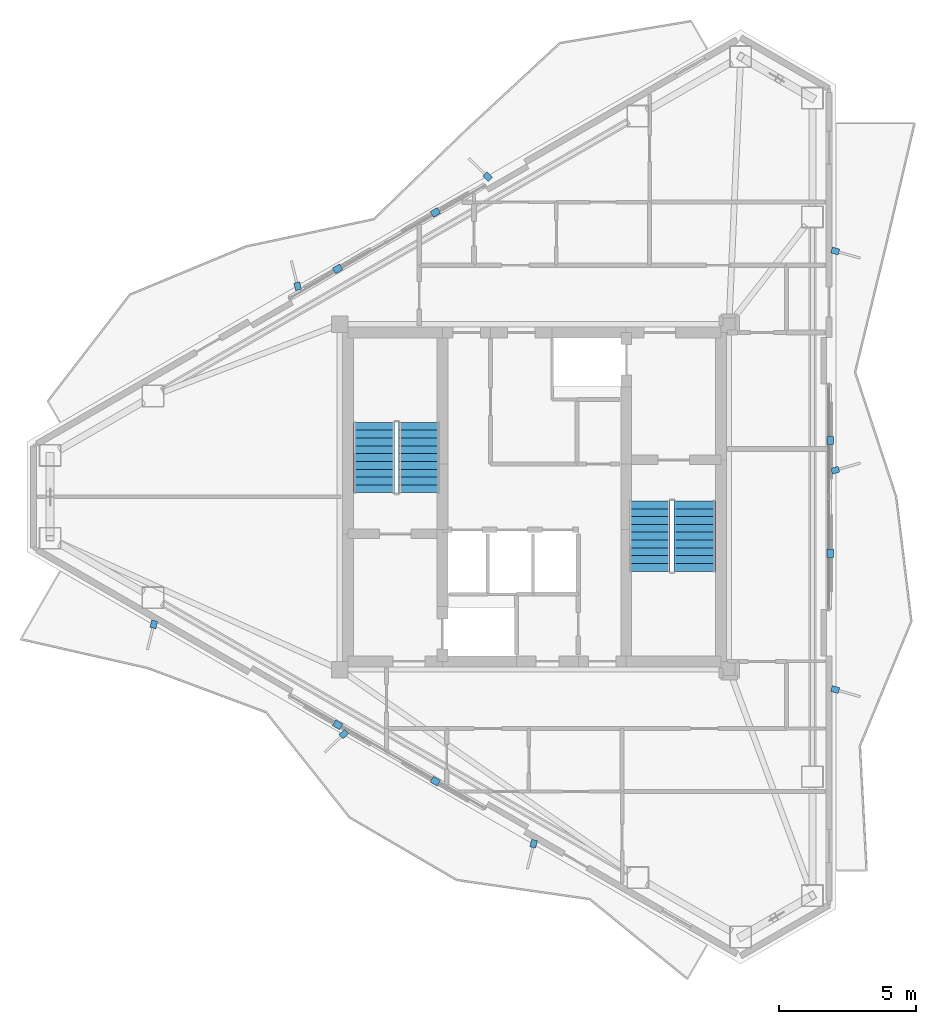
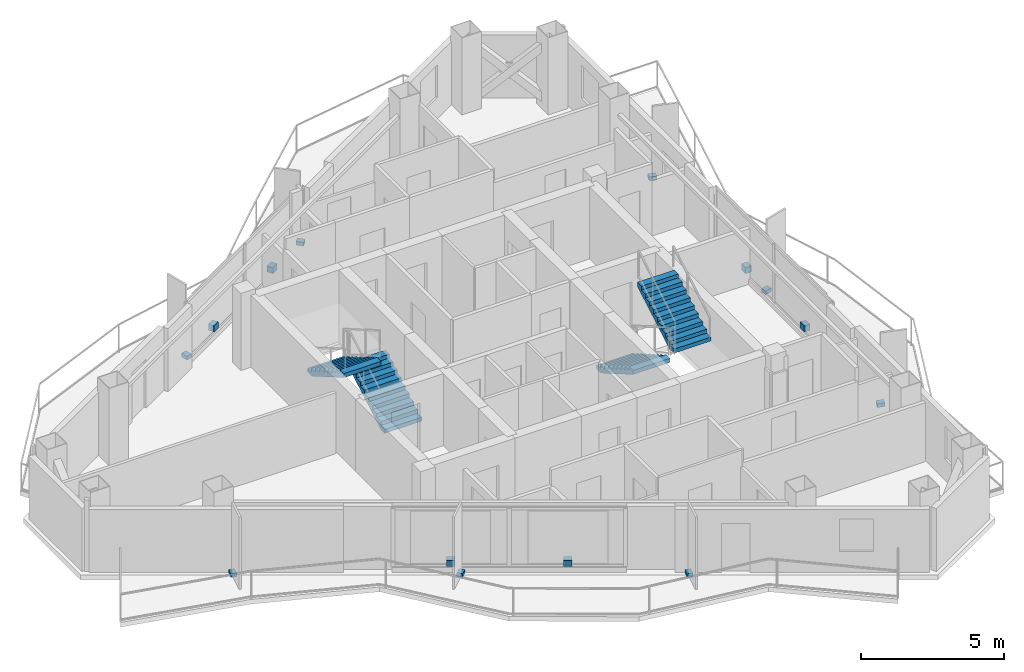
# One storey, part 17 of 18: 14 discrete accessories, 4 stair flights, 2 elements without a shape of their own.
"""IFC4 building model written with IfcOpenShell, lengths in metres."""

from ifc_helpers import new_model, si_unit, direction, frame, origin, origin_2d, place, context, subcontext, project, spatial, polyline, rectangle, outline, extrude, material, layer, layer_set, type_object, element, aggregate, save


model = new_model("IFC4")

# Units and contexts
model_context = context("Model", 3, precision=1e-05, world=origin(), true_north=direction((0.0, 1.0)))
body_context = subcontext(model_context, "Body", "Model", "MODEL_VIEW")
ifc_project = project(units=[si_unit("LENGTHUNIT", "METRE"), si_unit("AREAUNIT", "SQUARE_METRE"), si_unit("VOLUMEUNIT", "CUBIC_METRE"), si_unit("PLANEANGLEUNIT", "RADIAN"), si_unit("MASSUNIT", "GRAM", prefix="KILO")], contexts=[model_context])

# Site, building, storey
site_placement = place(None, origin())
site = spatial("IfcSite", under=ifc_project, at=site_placement, CompositionType="ELEMENT")
building_placement = place(site_placement, origin())
building = spatial("IfcBuilding", under=site, at=building_placement, Name="Mersakhor Tower and Convention Hall", CompositionType="ELEMENT")
storey_placement = place(building_placement, frame((0.0, 0.0, 226.5)))
storey = spatial("IfcBuildingStorey", under=building, at=storey_placement, Name="L63", CompositionType="ELEMENT", Elevation=226.5)

# Stair, stair flights
ifc_material_1 = material(Name="Concrete C45/55", Category="concrete")
stair_type = type_object("IfcStairType", Name="ST-TWR-20R", PredefinedType="HALF_TURN_STAIR", material=ifc_material_1)
stair_1_placement = place(storey_placement, origin())
stair_1 = element("IfcStair", 1, at=stair_1_placement, inside=storey, type_object=stair_type, Name="L63 Tower Protected Exit Stair ST-1", PredefinedType="HALF_TURN_STAIR")
ifc_material_2 = material(Name="Concrete C45/55", Category="concrete")
stair_flight_type = type_object("IfcStairFlightType", Name="SFL-TWR-20R", PredefinedType="STRAIGHT", material=ifc_material_2)
stair_flight_1_placement = place(storey_placement, frame((24.800048828125, 26.89990234375, 0.0), z_axis=(0.0, 0.0, 1.0), x_axis=(0.0, 1.0, 0.0)))
stair_flight_1 = element("IfcStairFlight", 2, at=stair_flight_1_placement, type_object=stair_flight_type, Name="ST-1 flight 1", NumberOfRisers=10, NumberOfTreads=9, PredefinedType="STRAIGHT", RiserHeight=0.165, TreadLength=0.285, context=body_context, shape_type="SweptSolid", body=[
    extrude(outline(polyline([(0.0, 0.0), (0.0, 0.1650390625), (0.284912109375, 0.1650390625), (0.284912109375, 0.330078125), (0.570068359375, 0.330078125), (0.570068359375, 0.4951171875), (0.85498046875, 0.4951171875), (0.85498046875, 0.659912109375), (1.139892578125, 0.659912109375), (1.139892578125, 0.824951171875), (1.425048828125, 0.824951171875), (1.425048828125, 0.989990234375), (1.7099609375, 0.989990234375), (1.7099609375, 1.155029296875), (1.9951171875, 1.155029296875), (1.9951171875, 1.320068359375), (2.280029296875, 1.320068359375), (2.280029296875, 1.485107421875), (2.56494140625, 1.485107421875), (2.56494140625, 1.64990234375), (2.56494140625, 1.311767578125), (0.299072265625, 0.0), (0.0, 0.0)])), frame((0.0, 0.75, 0.0), z_axis=(0.0, -1.0, 0.0), x_axis=(1.0, 0.0, 0.0)), (0.0, 0.0, 1.0), 1.5),
])
stair_flight_2_placement = place(storey_placement, frame((23.14990234375, 29.465087890625, 1.64990234375), z_axis=(0.0, 0.0, 1.0), x_axis=(0.0, -1.0, 0.0)))
stair_flight_2 = element("IfcStairFlight", 3, at=stair_flight_2_placement, type_object=stair_flight_type, Name="ST-1 flight 2", NumberOfRisers=10, NumberOfTreads=9, PredefinedType="STRAIGHT", RiserHeight=0.165, TreadLength=0.285, context=body_context, shape_type="SweptSolid", body=[
    extrude(outline(polyline([(0.0, 0.0), (0.0, 0.1650390625), (0.284912109375, 0.1650390625), (0.284912109375, 0.330078125), (0.570068359375, 0.330078125), (0.570068359375, 0.4951171875), (0.85498046875, 0.4951171875), (0.85498046875, 0.659912109375), (1.139892578125, 0.659912109375), (1.139892578125, 0.824951171875), (1.425048828125, 0.824951171875), (1.425048828125, 0.989990234375), (1.7099609375, 0.989990234375), (1.7099609375, 1.155029296875), (1.9951171875, 1.155029296875), (1.9951171875, 1.320068359375), (2.280029296875, 1.320068359375), (2.280029296875, 1.485107421875), (2.56494140625, 1.485107421875), (2.56494140625, 1.64990234375), (2.56494140625, 1.311767578125), (0.299072265625, 0.0), (0.0, 0.0)])), frame((0.0, 0.75, 0.0), z_axis=(0.0, -1.0, 0.0), x_axis=(1.0, 0.0, 0.0)), (0.0, 0.0, 1.0), 1.5),
])
aggregate(stair_1, [stair_flight_1, stair_flight_2])

stair_2_placement = place(storey_placement, origin())
stair_2 = element("IfcStair", 4, at=stair_2_placement, inside=storey, type_object=stair_type, Name="L63 Tower Protected Exit Stair ST-2", PredefinedType="HALF_TURN_STAIR")
stair_flight_3_placement = place(storey_placement, frame((33.199951171875, 26.60009765625, 0.0), z_axis=(0.0, 0.0, 1.0), x_axis=(0.0, -1.0, 0.0)))
stair_flight_3 = element("IfcStairFlight", 5, at=stair_flight_3_placement, type_object=stair_flight_type, Name="ST-2 flight 1", NumberOfRisers=10, NumberOfTreads=9, PredefinedType="STRAIGHT", RiserHeight=0.165, TreadLength=0.285, context=body_context, shape_type="SweptSolid", body=[
    extrude(outline(polyline([(0.0, 0.0), (0.0, 0.1650390625), (0.284912109375, 0.1650390625), (0.284912109375, 0.330078125), (0.570068359375, 0.330078125), (0.570068359375, 0.4951171875), (0.85498046875, 0.4951171875), (0.85498046875, 0.659912109375), (1.139892578125, 0.659912109375), (1.139892578125, 0.824951171875), (1.425048828125, 0.824951171875), (1.425048828125, 0.989990234375), (1.7099609375, 0.989990234375), (1.7099609375, 1.155029296875), (1.9951171875, 1.155029296875), (1.9951171875, 1.320068359375), (2.280029296875, 1.320068359375), (2.280029296875, 1.485107421875), (2.56494140625, 1.485107421875), (2.56494140625, 1.64990234375), (2.56494140625, 1.311767578125), (0.299072265625, 0.0), (0.0, 0.0)])), frame((0.0, 0.75, 0.0), z_axis=(0.0, -1.0, 0.0), x_axis=(1.0, 0.0, 0.0)), (0.0, 0.0, 1.0), 1.5),
])
stair_flight_4_placement = place(storey_placement, frame((34.85009765625, 24.034912109375, 1.64990234375), z_axis=(0.0, 0.0, 1.0), x_axis=(0.0, 1.0, 0.0)))
stair_flight_4 = element("IfcStairFlight", 6, at=stair_flight_4_placement, type_object=stair_flight_type, Name="ST-2 flight 2", NumberOfRisers=10, NumberOfTreads=9, PredefinedType="STRAIGHT", RiserHeight=0.165, TreadLength=0.285, context=body_context, shape_type="SweptSolid", body=[
    extrude(outline(polyline([(0.0, 0.0), (0.0, 0.1650390625), (0.284912109375, 0.1650390625), (0.284912109375, 0.330078125), (0.570068359375, 0.330078125), (0.570068359375, 0.4951171875), (0.85498046875, 0.4951171875), (0.85498046875, 0.659912109375), (1.139892578125, 0.659912109375), (1.139892578125, 0.824951171875), (1.425048828125, 0.824951171875), (1.425048828125, 0.989990234375), (1.7099609375, 0.989990234375), (1.7099609375, 1.155029296875), (1.9951171875, 1.155029296875), (1.9951171875, 1.320068359375), (2.280029296875, 1.320068359375), (2.280029296875, 1.485107421875), (2.56494140625, 1.485107421875), (2.56494140625, 1.64990234375), (2.56494140625, 1.311767578125), (0.299072265625, 0.0), (0.0, 0.0)])), frame((0.0, 0.75, 0.0), z_axis=(0.0, -1.0, 0.0), x_axis=(1.0, 0.0, 0.0)), (0.0, 0.0, 1.0), 1.5),
])
aggregate(stair_2, [stair_flight_3, stair_flight_4])

# Discrete accessories
ifc_material_3 = material(Name="Galvanised steel bracket", Category="steel")
ifc_layer = layer(ifc_material_3, 0.02001953125)
ifc_layer_set = layer_set([ifc_layer], Name="Galvanised steel bracket")
discrete_accessory_type = type_object("IfcDiscreteAccessoryType", Name="ACC-BRK-STL", PredefinedType="BRACKET", material=ifc_layer_set)
for number, where, z_axis, x_axis, name in (
    (7, (21.822265625, 35.068359375, 0.2900390625), (0.0, 0.0, 1.0), (0.866025403784, 0.5, 0.0), "L63 Solar Screen Outrigger Bracket BRK-1-1"),
    (8, (25.385009765625, 37.125244140625, 0.2900390625), (0.0, 0.0, 1.0), (0.866025403784, 0.5, 0.0), "L63 Solar Screen Outrigger Bracket BRK-1-2"),
):
    element("IfcDiscreteAccessory", number, at=place(storey_placement, frame(where, z_axis=z_axis, x_axis=x_axis)), inside=storey, type_object=discrete_accessory_type, Name=name, PredefinedType="BRACKET", context=body_context, shape_type="SweptSolid", body=[
        extrude(rectangle(XDim=0.300048828125, YDim=0.239990234375, at=origin_2d()), origin(), (0.0, 0.0, 1.0), 0.260009765625),
    ])
for number, where, z_axis, x_axis, name in (
    (9, (20.36474609375, 34.434814453125, -0.02001953125), (0.0, 0.0, 1.0), (-0.2419218956, 0.970295726276, 0.0), "L63 Facade Fin Base Cleat Bracket FBRK-1-1"),
    (10, (27.29296875, 38.434814453125, -0.02001953125), (0.0, 0.0, 1.0), (-0.719339800339, 0.694658370459, 0.0), "L63 Facade Fin Base Cleat Bracket FBRK-1-2"),
):
    element("IfcDiscreteAccessory", number, at=place(storey_placement, frame(where, z_axis=z_axis, x_axis=x_axis)), inside=storey, type_object=discrete_accessory_type, Name=name, PredefinedType="BRACKET", context=body_context, shape_type="SweptSolid", body=[
        extrude(rectangle(XDim=0.280029296875, YDim=0.219970703125, at=origin_2d()), origin(), (0.0, 0.0, 1.0), 0.159912109375),
    ])
for number, where, z_axis, x_axis, name in (
    (11, (39.792724609375, 28.806884765625, 0.2900390625), (0.0, 0.0, 1.0), (0.0, -1.0, 0.0), "L63 Solar Screen Outrigger Bracket BRK-2-1"),
    (12, (39.792724609375, 24.693115234375, 0.2900390625), (0.0, 0.0, 1.0), (0.0, -1.0, 0.0), "L63 Solar Screen Outrigger Bracket BRK-2-2"),
):
    element("IfcDiscreteAccessory", number, at=place(storey_placement, frame(where, z_axis=z_axis, x_axis=x_axis)), inside=storey, type_object=discrete_accessory_type, Name=name, PredefinedType="BRACKET", context=body_context, shape_type="SweptSolid", body=[
        extrude(rectangle(XDim=0.300048828125, YDim=0.239990234375, at=origin_2d()), origin(), (0.0, 0.0, 1.0), 0.260009765625),
    ])
for number, where, z_axis, x_axis, name in (
    (13, (39.972900390625, 35.719482421875, -0.02001953125), (0.0, 0.0, 1.0), (0.961261695938, -0.275637355817, 0.0), "L63 Facade Fin Base Cleat Bracket FBRK-2-1"),
    (14, (39.972900390625, 27.719482421875, -0.02001953125), (0.0, 0.0, 1.0), (0.961261695938, 0.275637355817, 0.0), "L63 Facade Fin Base Cleat Bracket FBRK-2-2"),
    (15, (39.972900390625, 19.719482421875, -0.02001953125), (0.0, 0.0, 1.0), (0.961261695938, -0.275637355817, 0.0), "L63 Facade Fin Base Cleat Bracket FBRK-2-3"),
):
    element("IfcDiscreteAccessory", number, at=place(storey_placement, frame(where, z_axis=z_axis, x_axis=x_axis)), inside=storey, type_object=discrete_accessory_type, Name=name, PredefinedType="BRACKET", context=body_context, shape_type="SweptSolid", body=[
        extrude(rectangle(XDim=0.280029296875, YDim=0.219970703125, at=origin_2d()), origin(), (0.0, 0.0, 1.0), 0.159912109375),
    ])
for number, where, z_axis, x_axis, name in (
    (16, (25.385009765625, 16.374755859375, 0.2900390625), (0.0, 0.0, 1.0), (-0.866025403784, 0.5, 0.0), "L63 Solar Screen Outrigger Bracket BRK-3-1"),
    (17, (21.822265625, 18.431640625, 0.2900390625), (0.0, 0.0, 1.0), (-0.866025403784, 0.5, 0.0), "L63 Solar Screen Outrigger Bracket BRK-3-2"),
):
    element("IfcDiscreteAccessory", number, at=place(storey_placement, frame(where, z_axis=z_axis, x_axis=x_axis)), inside=storey, type_object=discrete_accessory_type, Name=name, PredefinedType="BRACKET", context=body_context, shape_type="SweptSolid", body=[
        extrude(rectangle(XDim=0.300048828125, YDim=0.239990234375, at=origin_2d()), origin(), (0.0, 0.0, 1.0), 0.260009765625),
    ])
for number, where, z_axis, x_axis, name in (
    (18, (28.971923828125, 14.095947265625, -0.02001953125), (0.0, 0.0, 1.0), (-0.2419218956, -0.970295726276, 0.0), "L63 Facade Fin Base Cleat Bracket FBRK-3-1"),
    (19, (22.043701171875, 18.095947265625, -0.02001953125), (0.0, 0.0, 1.0), (-0.719339800339, -0.694658370459, 0.0), "L63 Facade Fin Base Cleat Bracket FBRK-3-2"),
    (20, (15.115478515625, 22.095947265625, -0.02001953125), (0.0, 0.0, 1.0), (-0.2419218956, -0.970295726276, 0.0), "L63 Facade Fin Base Cleat Bracket FBRK-3-3"),
):
    element("IfcDiscreteAccessory", number, at=place(storey_placement, frame(where, z_axis=z_axis, x_axis=x_axis)), inside=storey, type_object=discrete_accessory_type, Name=name, PredefinedType="BRACKET", context=body_context, shape_type="SweptSolid", body=[
        extrude(rectangle(XDim=0.280029296875, YDim=0.219970703125, at=origin_2d()), origin(), (0.0, 0.0, 1.0), 0.159912109375),
    ])

save(model, "model.ifc")
